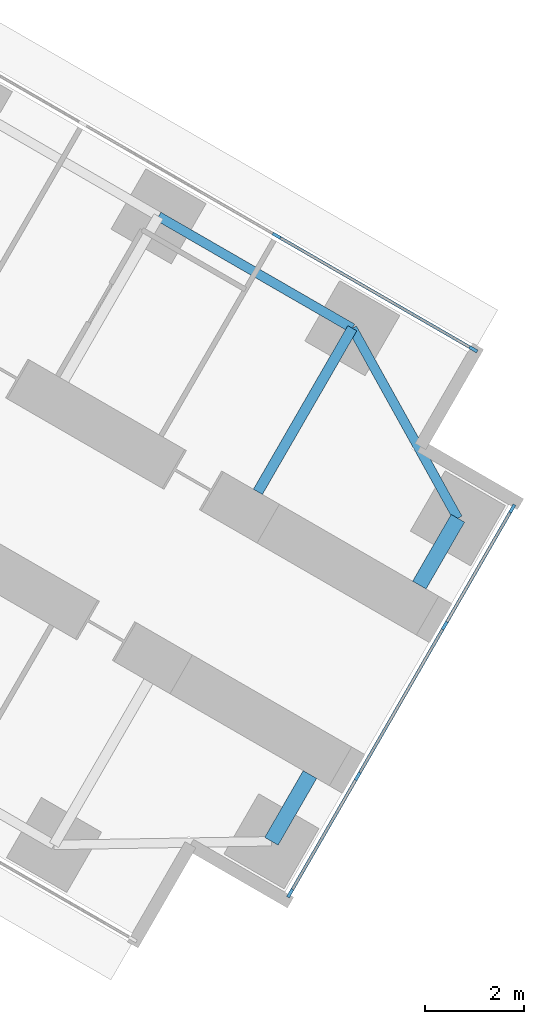
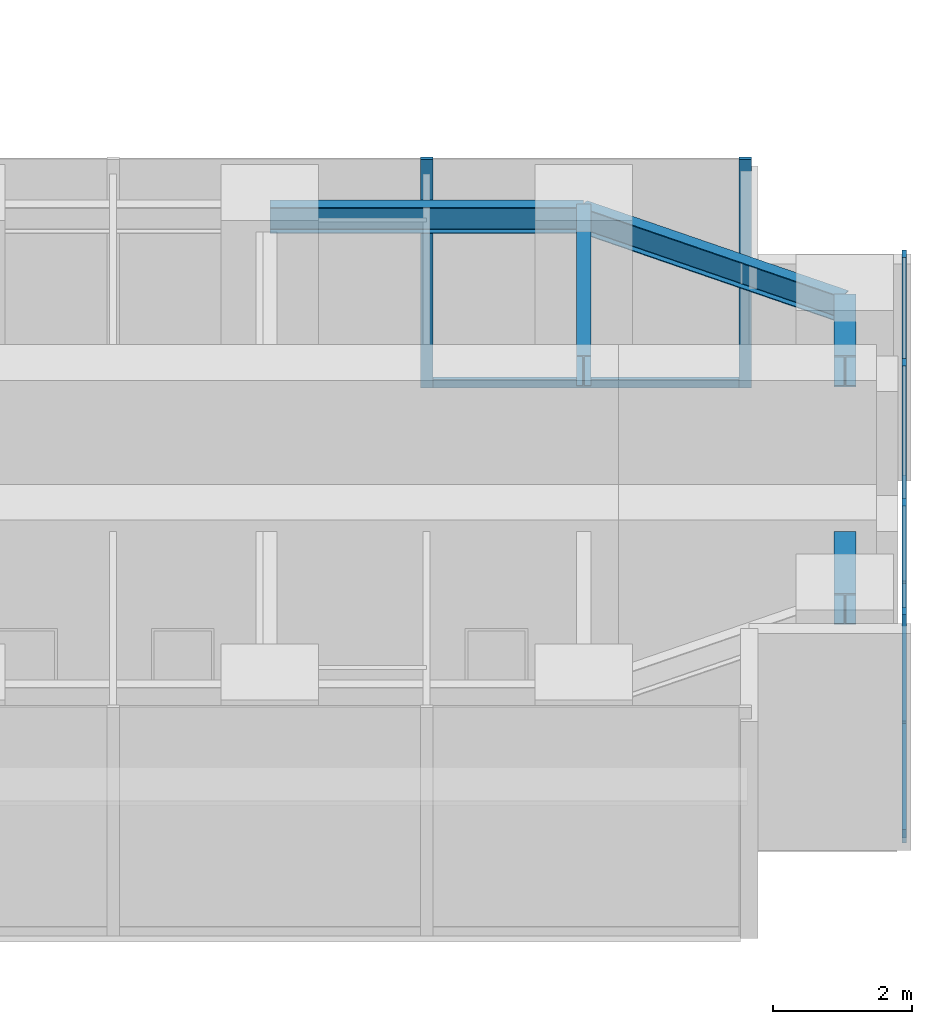
# One storey, part 12 of 25: 10 members, 5 beams, 2 elements without a shape of their own.
"""IFC4 building model written with IfcOpenShell, lengths in metres."""

from ifc_helpers import new_model, si_unit, direction, frame, origin, origin_2d, place, context, subcontext, project, spatial, rectangle, i_section, extrude, material, material_profile, profile_set, type_object, element, aggregate, save


model = new_model("IFC4")

# Units and contexts
model_context = context("Model", 3, precision=1e-05, world=origin(), true_north=direction((0.0, 1.0)))
body_context = subcontext(model_context, "Body", "Model", "MODEL_VIEW")
ifc_project = project(units=[si_unit("LENGTHUNIT", "METRE"), si_unit("AREAUNIT", "SQUARE_METRE"), si_unit("VOLUMEUNIT", "CUBIC_METRE"), si_unit("PLANEANGLEUNIT", "RADIAN"), si_unit("MASSUNIT", "GRAM", prefix="KILO")], contexts=[model_context])

# Site, building, storey
site_placement = place(None, origin())
site = spatial("IfcSite", under=ifc_project, at=site_placement, CompositionType="ELEMENT")
building_placement = place(site_placement, origin())
building = spatial("IfcBuilding", under=site, at=building_placement, Name="Upepo Twin Towers", CompositionType="ELEMENT")
storey_placement = place(building_placement, frame((0.0, 0.0, 84.5)))
storey = spatial("IfcBuildingStorey", under=building, at=storey_placement, Name="L20", CompositionType="ELEMENT", Elevation=84.5)

# Beams
ifc_material_1 = material(Name="Steel S355", Category="steel")
ifc_material_profile_1 = material_profile(ifc_material_1, i_section(OverallWidth=0.1904296875, OverallDepth=0.45703125, WebThickness=0.009033203125, FlangeThickness=0.014404296875, FilletRadius=0.01025390625, at=origin_2d()), Name="UB 457x191x74")
ifc_profile_set_1 = profile_set([ifc_material_profile_1], Name="Steel S355")
beam_type_1 = type_object("IfcBeamType", Name="Beam UB 457x191x74", PredefinedType="BEAM", material=ifc_profile_set_1)
beam_1_placement = place(storey_placement, frame((77.08837890625, -21.803955078125, 3.571533203125), z_axis=(0.866031096941, -0.499990139034, 0.0), x_axis=(0.499990139034, 0.866031096941, 0.0)))
element("IfcBeam", 1, at=beam_1_placement, inside=storey, type_object=beam_type_1, Name="T2 edge beam CL 18.0-22.5", PredefinedType="BEAM", context=body_context, shape_type="SweptSolid", body=[
    extrude(i_section(OverallWidth=0.1904296875, OverallDepth=0.45703125, WebThickness=0.009033203125, FlangeThickness=0.014404296875, FilletRadius=0.01025390625, at=origin_2d()), origin(), (0.0, 0.0, 1.0), 4.5),
])
beam_2_placement = place(storey_placement, frame((80.985595703125, -24.053955078125, 3.571533203125), z_axis=(0.485363242752, -0.874312600038, 0.0), x_axis=(0.874312600038, 0.485363242752, 0.0)))
element("IfcBeam", 2, at=beam_2_placement, inside=storey, type_object=beam_type_1, Name="T2 nose edge beam CL", PredefinedType="BEAM", context=body_context, shape_type="SweptSolid", body=[
    extrude(i_section(OverallWidth=0.1904296875, OverallDepth=0.45703125, WebThickness=0.009033203125, FlangeThickness=0.014404296875, FilletRadius=0.01025390625, at=origin_2d()), origin(), (0.0, 0.0, 1.0), 4.373046875),
])
ifc_material_2 = material(Name="Steel S355", Category="steel")
ifc_material_profile_2 = material_profile(ifc_material_2, i_section(OverallWidth=0.209228515625, OverallDepth=0.533203125, WebThickness=0.010009765625, FlangeThickness=0.015625, FilletRadius=0.0126953125, at=origin_2d()), Name="UB 533x210x92")
ifc_profile_set_2 = profile_set([ifc_material_profile_2], Name="Steel S355")
beam_type_2 = type_object("IfcBeamType", Name="Beam UB 533x210x92", PredefinedType="BEAM", material=ifc_profile_set_2)
beam_3_placement = place(storey_placement, frame((80.985595703125, -24.053955078125, 3.533447265625), z_axis=(-0.499994975061, -0.866028304915, 0.0), x_axis=(0.866028304915, -0.499994975061, 0.0)))
element("IfcBeam", 3, at=beam_3_placement, inside=storey, type_object=beam_type_2, Name="T2 girder CL at 22.5", PredefinedType="BEAM", context=body_context, shape_type="SweptSolid", body=[
    extrude(i_section(OverallWidth=0.209228515625, OverallDepth=0.533203125, WebThickness=0.010009765625, FlangeThickness=0.015625, FilletRadius=0.0126953125, at=origin_2d()), origin(), (0.0, 0.0, 1.0), 3.7998046875),
])
ifc_material_3 = material(Name="Steel S355", Category="steel")
ifc_material_profile_3 = material_profile(ifc_material_3, i_section(OverallWidth=0.31201171875, OverallDepth=0.54345703125, WebThickness=0.0126953125, FlangeThickness=0.020263671875, FilletRadius=0.0126953125, at=origin_2d()), Name="UB 533x312x150")
ifc_profile_set_3 = profile_set([ifc_material_profile_3], Name="Steel S355")
beam_type_3 = type_object("IfcBeamType", Name="Beam UB 533x312x150", PredefinedType="BEAM", material=ifc_profile_set_3)
for number, where, z_axis, x_axis, name in (
    (4, (83.108154296875, -27.87744140625, 3.5283203125), (-0.499967891604, -0.866043940782, 0.0), (0.866043940782, -0.499967891604, 0.0), "T2 nose beam CL"),
    (5, (79.358154296875, -34.37255859375, 3.5283203125), (0.499967891604, 0.866043940782, 0.0), (-0.866043940782, 0.499967891604, 0.0), "T2 nose beam CR"),
):
    element("IfcBeam", number, at=place(storey_placement, frame(where, z_axis=z_axis, x_axis=x_axis)), inside=storey, type_object=beam_type_3, Name=name, PredefinedType="BEAM", context=body_context, shape_type="SweptSolid", body=[
        extrude(i_section(OverallWidth=0.31201171875, OverallDepth=0.54345703125, WebThickness=0.0126953125, FlangeThickness=0.020263671875, FilletRadius=0.0126953125, at=origin_2d()), origin(), (0.0, 0.0, 1.0), 1.5498046875),
    ])

# Curtain wall, members
ifc_material_4 = material(Name="Aluminium and fritted glass", Category="aluminium")
curtain_wall_type = type_object("IfcCurtainWallType", Name="Tower curtain wall TW1, fritted glass", PredefinedType="NOTDEFINED", material=ifc_material_4)
curtain_wall_1_placement = place(storey_placement, origin())
curtain_wall_1 = element("IfcCurtainWall", 6, at=curtain_wall_1_placement, inside=storey, type_object=curtain_wall_type, Name="T2 L20 wing C flank L curtain wall", PredefinedType="NOTDEFINED")
ifc_material_5 = material(Name="Aluminium mullion", Category="aluminium")
ifc_material_profile_4 = material_profile(ifc_material_5, rectangle(XDim=0.06494140625, YDim=0.179931640625, at=origin_2d()), Name="MULLION 65x180")
ifc_profile_set_4 = profile_set([ifc_material_profile_4], Name="Aluminium mullion")
member_type_1 = type_object("IfcMemberType", Name="Mullion 65x180 TW1", PredefinedType="MULLION", material=ifc_profile_set_4)
member_1_placement = place(storey_placement, frame((79.4619140625, -22.192626953125, 0.0), z_axis=(0.0, 0.0, 1.0), x_axis=(0.500000024426, 0.866025389682, 0.0)))
member_1 = element("IfcMember", 7, at=member_1_placement, type_object=member_type_1, Name="T2 L20 wing C flank L curtain wall mullion 3", PredefinedType="MULLION", context=body_context, shape_type="SweptSolid", body=[
    extrude(rectangle(XDim=0.06494140625, YDim=0.179931640625, at=origin_2d()), origin(), (0.0, 0.0, 1.0), 4.0),
])
member_2_placement = place(storey_placement, frame((83.41748046875, -24.4765625, 0.0), z_axis=(0.0, 0.0, 1.0), x_axis=(0.500000024426, 0.866025389682, 0.0)))
member_2 = element("IfcMember", 8, at=member_2_placement, type_object=member_type_1, Name="T2 L20 wing C flank L curtain wall mullion 4", PredefinedType="MULLION", context=body_context, shape_type="SweptSolid", body=[
    extrude(rectangle(XDim=0.06494140625, YDim=0.179931640625, at=origin_2d()), origin(), (0.0, 0.0, 1.0), 4.0),
])

curtain_wall_2_placement = place(storey_placement, origin())
curtain_wall_2 = element("IfcCurtainWall", 9, at=curtain_wall_2_placement, inside=storey, type_object=curtain_wall_type, Name="T2 L20 wing C nose curtain wall", PredefinedType="NOTDEFINED")
member_3_placement = place(storey_placement, frame((79.735595703125, -35.4189453125, 0.0), z_axis=(0.0, 0.0, 1.0), x_axis=(-0.866025386174, 0.500000030502, 0.0)))
member_3 = element("IfcMember", 10, at=member_3_placement, type_object=member_type_1, Name="T2 L20 wing C nose curtain wall mullion 1", PredefinedType="MULLION", context=body_context, shape_type="SweptSolid", body=[
    extrude(rectangle(XDim=0.06494140625, YDim=0.179931640625, at=origin_2d()), origin(), (0.0, 0.0, 1.0), 4.0),
])
member_4_placement = place(storey_placement, frame((81.09423828125, -33.0654296875, 0.0), z_axis=(0.0, 0.0, 1.0), x_axis=(-0.866025386174, 0.500000030502, 0.0)))
member_4 = element("IfcMember", 11, at=member_4_placement, type_object=member_type_1, Name="T2 L20 wing C nose curtain wall mullion 2", PredefinedType="MULLION", context=body_context, shape_type="SweptSolid", body=[
    extrude(rectangle(XDim=0.06494140625, YDim=0.179931640625, at=origin_2d()), origin(), (0.0, 0.0, 1.0), 4.0),
])
member_5_placement = place(storey_placement, frame((82.84423828125, -30.034423828125, 0.0), z_axis=(0.0, 0.0, 1.0), x_axis=(-0.866025386174, 0.500000030502, 0.0)))
member_5 = element("IfcMember", 12, at=member_5_placement, type_object=member_type_1, Name="T2 L20 wing C nose curtain wall mullion 3", PredefinedType="MULLION", context=body_context, shape_type="SweptSolid", body=[
    extrude(rectangle(XDim=0.06494140625, YDim=0.179931640625, at=origin_2d()), origin(), (0.0, 0.0, 1.0), 4.0),
])
member_6_placement = place(storey_placement, frame((84.203125, -27.68115234375, 0.0), z_axis=(0.0, 0.0, 1.0), x_axis=(-0.866025386174, 0.500000030502, 0.0)))
member_6 = element("IfcMember", 13, at=member_6_placement, type_object=member_type_1, Name="T2 L20 wing C nose curtain wall mullion 4", PredefinedType="MULLION", context=body_context, shape_type="SweptSolid", body=[
    extrude(rectangle(XDim=0.06494140625, YDim=0.179931640625, at=origin_2d()), origin(), (0.0, 0.0, 1.0), 4.0),
])

# Member
ifc_material_6 = material(Name="Aluminium transom", Category="aluminium")
ifc_material_profile_5 = material_profile(ifc_material_6, rectangle(XDim=0.06494140625, YDim=0.14990234375, at=origin_2d()), Name="TRANSOM 65x150")
ifc_profile_set_5 = profile_set([ifc_material_profile_5], Name="Aluminium transom")
member_type_2 = type_object("IfcMemberType", Name="Transom 65x150 TW1", PredefinedType="USERDEFINED", material=ifc_profile_set_5)
member_7_placement = place(storey_placement, frame((79.490234375, -22.208984375, 0.074951171875), z_axis=(0.866022143554, -0.500005646842, 0.0), x_axis=(0.500005646842, 0.866022143554, 0.0)))
member_7 = element("IfcMember", 14, at=member_7_placement, type_object=member_type_2, Name="T2 L20 wing C flank L curtain wall transom 3", ObjectType="TRANSOM", PredefinedType="USERDEFINED", context=body_context, shape_type="SweptSolid", body=[
    extrude(rectangle(XDim=0.06494140625, YDim=0.14990234375, at=origin_2d()), origin(), (0.0, 0.0, 1.0), 4.50244140625),
])

aggregate(curtain_wall_1, [member_1, member_2, member_7])

member_8_placement = place(storey_placement, frame((79.751708984375, -35.390869140625, 0.074951171875), z_axis=(0.500049101008, 0.865997053448, 0.0), x_axis=(-0.865997053448, 0.500049101008, 0.0)))
member_8 = element("IfcMember", 15, at=member_8_placement, type_object=member_type_2, Name="T2 L20 wing C nose curtain wall transom 1", ObjectType="TRANSOM", PredefinedType="USERDEFINED", context=body_context, shape_type="SweptSolid", body=[
    extrude(rectangle(XDim=0.06494140625, YDim=0.14990234375, at=origin_2d()), origin(), (0.0, 0.0, 1.0), 2.652587890625),
])

member_9_placement = place(storey_placement, frame((81.110595703125, -33.037353515625, 0.074951171875), z_axis=(0.499999305434, 0.866025804792, 0.0), x_axis=(-0.866025804792, 0.499999305434, 0.0)))
member_9 = element("IfcMember", 16, at=member_9_placement, type_object=member_type_2, Name="T2 L20 wing C nose curtain wall transom 2", ObjectType="TRANSOM", PredefinedType="USERDEFINED", context=body_context, shape_type="SweptSolid", body=[
    extrude(rectangle(XDim=0.06494140625, YDim=0.14990234375, at=origin_2d()), origin(), (0.0, 0.0, 1.0), 3.43505859375),
])

member_10_placement = place(storey_placement, frame((82.860595703125, -30.00634765625, 0.074951171875), z_axis=(0.499980071345, 0.866036909293, 0.0), x_axis=(-0.866036909293, 0.499980071345, 0.0)))
member_10 = element("IfcMember", 17, at=member_10_placement, type_object=member_type_2, Name="T2 L20 wing C nose curtain wall transom 3", ObjectType="TRANSOM", PredefinedType="USERDEFINED", context=body_context, shape_type="SweptSolid", body=[
    extrude(rectangle(XDim=0.06494140625, YDim=0.14990234375, at=origin_2d()), origin(), (0.0, 0.0, 1.0), 2.65234375),
])

aggregate(curtain_wall_2, [member_3, member_4, member_5, member_6, member_8, member_9, member_10])

save(model, "model.ifc")
